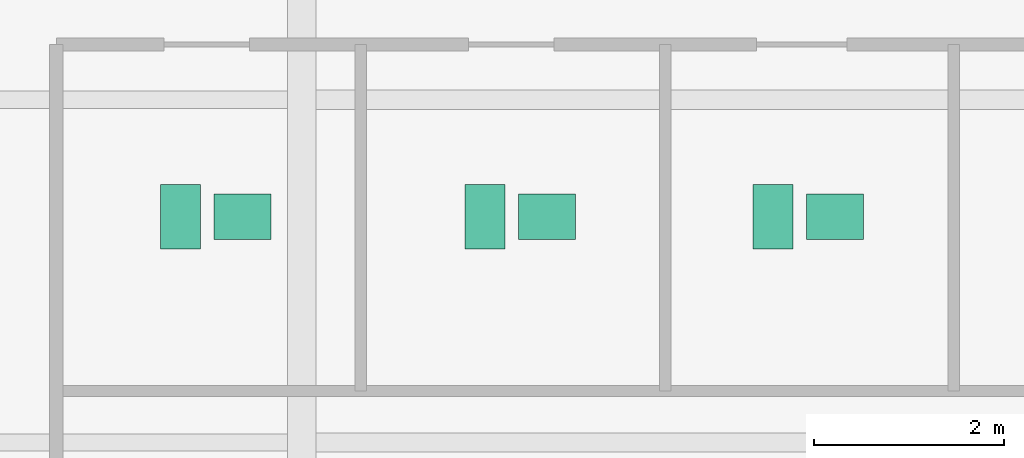
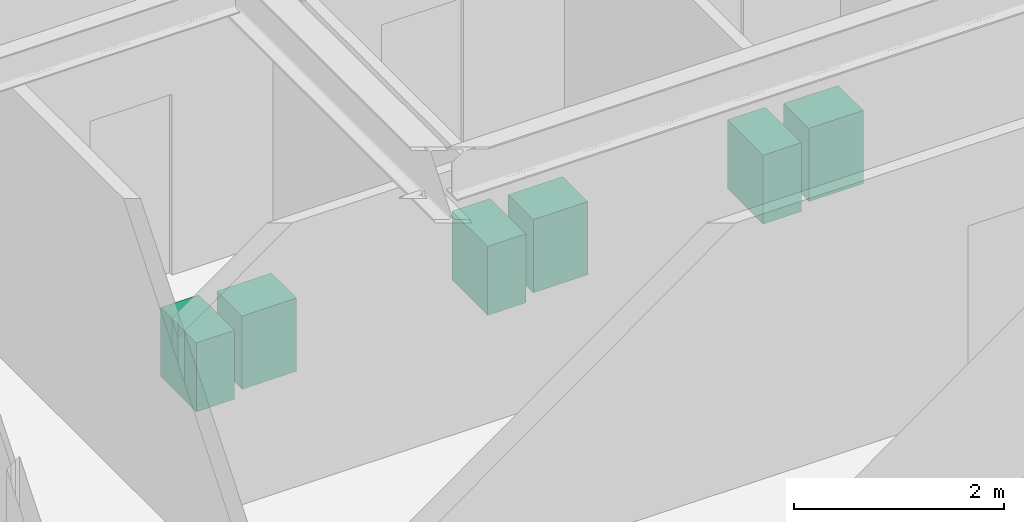
# One storey, part 27 of 27: 6 sanitary terminals.
"""IFC4 building model written with IfcOpenShell, lengths in metres."""

from ifc_helpers import new_model, si_unit, direction, frame, origin, origin_2d, place, context, subcontext, project, spatial, rectangle, extrude, source, transform, mapped, material, type_object, type_shapes, element, save


model = new_model("IFC4")

# Units and contexts
model_context = context("Model", 3, precision=1e-05, world=origin(), true_north=direction((0.0, 1.0)))
body_context = subcontext(model_context, "Body", "Model", "MODEL_VIEW")
ifc_project = project(units=[si_unit("LENGTHUNIT", "METRE"), si_unit("AREAUNIT", "SQUARE_METRE"), si_unit("VOLUMEUNIT", "CUBIC_METRE"), si_unit("PLANEANGLEUNIT", "RADIAN"), si_unit("MASSUNIT", "GRAM", prefix="KILO")], contexts=[model_context])

# Site, building, storey
site_placement = place(None, origin())
site = spatial("IfcSite", under=ifc_project, at=site_placement, CompositionType="ELEMENT")
building_placement = place(site_placement, origin())
building = spatial("IfcBuilding", under=site, at=building_placement, Name="Krantzveldt Concourse Tower", CompositionType="ELEMENT")
storey_placement = place(building_placement, frame((0.0, 0.0, 101.89990234375)))
storey = spatial("IfcBuildingStorey", under=building, at=storey_placement, Name="L24", CompositionType="ELEMENT", Elevation=101.89990234375)

# Sanitary terminals
ifc_material = material(Name="Vitreous china", Category="ceramic")
sanitary_terminal_type_1 = type_object("IfcSanitaryTerminalType", Name="SAN-WC-SUITE", PredefinedType="TOILETPAN", material=ifc_material)
shared_shape_1 = source(origin(), body_context, "Body", "SweptSolid", [
    extrude(rectangle(XDim=0.419921875, YDim=0.679931640625, at=origin_2d()), origin(), (0.0, 0.0, 1.0), 0.800048828125),
])
type_shapes(sanitary_terminal_type_1, [shared_shape_1])
for number, where, z_axis, x_axis, name in (
    (1, (29.324951171875, 32.570068359375, 0.0), (0.0, 0.0, 1.0), (1.0, 0.0, 0.0), "WC-SP-L24-WCM"),
    (2, (32.52490234375, 32.570068359375, 0.0), (0.0, 0.0, 1.0), (1.0, 0.0, 0.0), "WC-SP-L24-WCF"),
    (3, (35.550048828125, 32.570068359375, 0.0), (0.0, 0.0, 1.0), (1.0, 0.0, 0.0), "WC-SP-L24-WCA"),
):
    element("IfcSanitaryTerminal", number, at=place(storey_placement, frame(where, z_axis=z_axis, x_axis=x_axis)), inside=storey, type_object=sanitary_terminal_type_1, Name=name, PredefinedType="TOILETPAN", context=body_context, shape_type="MappedRepresentation", body=[
        mapped(shared_shape_1, transform((0.0, 0.0, 0.0), x_axis=(1.0, 0.0, 0.0), y_axis=(0.0, 1.0, 0.0), z_axis=(0.0, 0.0, 1.0), scale=1.0)),
    ])
sanitary_terminal_type_2 = type_object("IfcSanitaryTerminalType", Name="SAN-BASIN-600", PredefinedType="WASHHANDBASIN", material=ifc_material)
shared_shape_2 = source(origin(), body_context, "Body", "SweptSolid", [
    extrude(rectangle(XDim=0.60009765625, YDim=0.47998046875, at=origin_2d()), origin(), (0.0, 0.0, 1.0), 0.85009765625),
])
type_shapes(sanitary_terminal_type_2, [shared_shape_2])
for number, where, z_axis, x_axis, name in (
    (4, (29.97509765625, 32.570068359375, 0.005126953125), (0.0, 0.0, 1.0), (1.0, 0.0, 0.0), "BSN-SP-L24-WCM"),
    (5, (33.175048828125, 32.570068359375, 0.005126953125), (0.0, 0.0, 1.0), (1.0, 0.0, 0.0), "BSN-SP-L24-WCF"),
    (6, (36.199951171875, 32.570068359375, 0.005126953125), (0.0, 0.0, 1.0), (1.0, 0.0, 0.0), "BSN-SP-L24-WCA"),
):
    element("IfcSanitaryTerminal", number, at=place(storey_placement, frame(where, z_axis=z_axis, x_axis=x_axis)), inside=storey, type_object=sanitary_terminal_type_2, Name=name, PredefinedType="WASHHANDBASIN", context=body_context, shape_type="MappedRepresentation", body=[
        mapped(shared_shape_2, transform((0.0, 0.0, 0.0), x_axis=(1.0, 0.0, 0.0), y_axis=(0.0, 1.0, 0.0), z_axis=(0.0, 0.0, 1.0), scale=1.0)),
    ])

save(model, "model.ifc")
